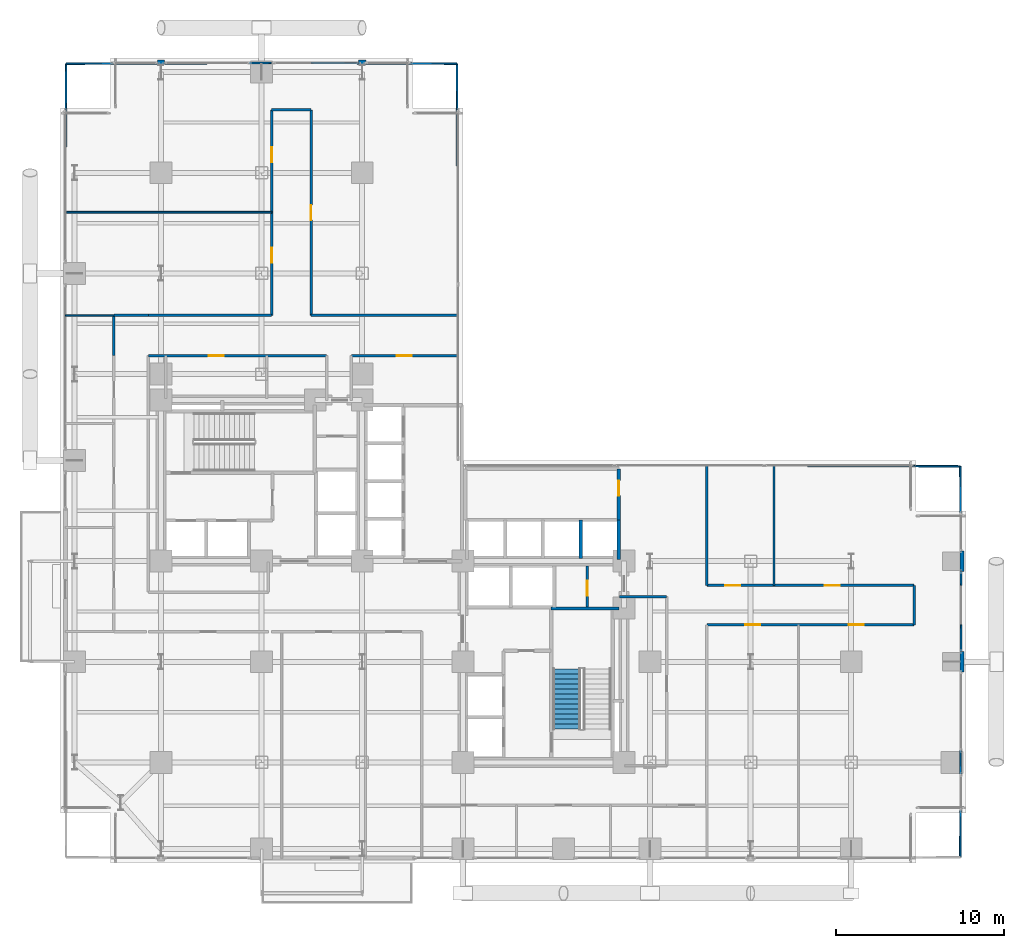
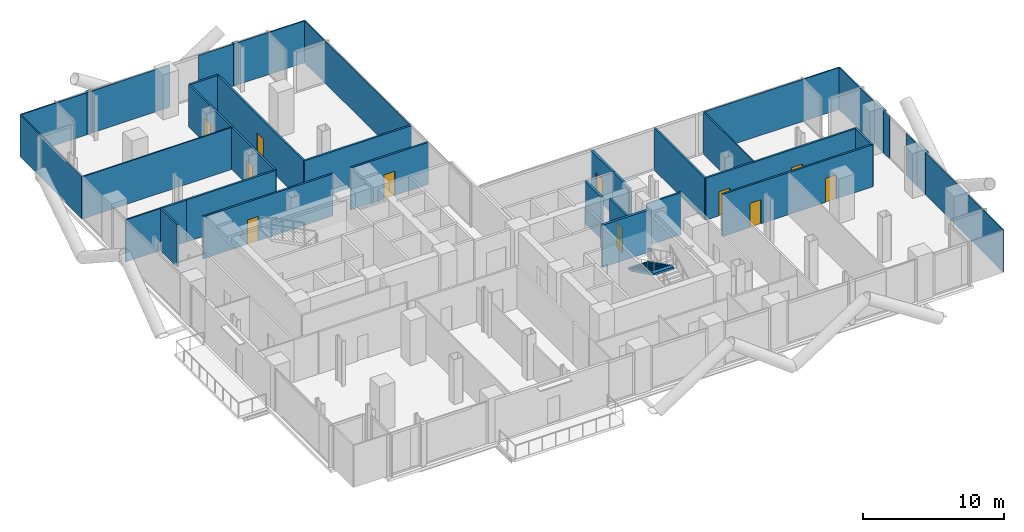
# One storey, part 22 of 25: 37 walls, 11 doors, 1 stair flight, 11 openings, 1 element without a shape of its own.
"""IFC4 building model written with IfcOpenShell, lengths in metres."""

import ifcopenshell
import ifcopenshell.guid

model = None  # the IFC model being written
_history = None  # IfcOwnerHistory: only IFC2X3 demands one
_inside = {}  # id of a spatial element -> (the spatial element, [elements in it])
_under = {}  # id of a project, library or spatial element -> (it, [spatial elements below it])
_declared = {}  # id of a project -> (the project, [libraries it declares])
_typed = {}  # id of a type object -> (the type object, [elements of that type])
_made_of = {}  # id of a material, layer set ... -> (it, [elements and type objects made of it])


def new_model(schema):
    """Start an empty IFC model of exactly this schema.

    Asked for "IFC4X3", IfcOpenShell would pick the latest addendum, in which some entities
    have other attributes; the version numbers below select the first issue.
    IFC2X3 requires an IfcOwnerHistory on every rooted entity: one is made here for all.
    """
    global model, _history
    if schema == "IFC4X3":
        model = ifcopenshell.file(schema_version=(4, 3, 0, 0))
    else:
        model = ifcopenshell.file(schema=schema)
    _inside.clear()
    _under.clear()
    _declared.clear()
    _typed.clear()
    _made_of.clear()
    _history = None
    if model.schema == "IFC2X3":
        org = make("IfcOrganization", Name="unknown")
        user = make(
            "IfcPersonAndOrganization",
            ThePerson=make("IfcPerson", FamilyName="unknown"),
            TheOrganization=org,
        )
        app = make(
            "IfcApplication",
            ApplicationDeveloper=org,
            Version="unknown",
            ApplicationFullName="unknown",
            ApplicationIdentifier="unknown",
        )
        _history = make(
            "IfcOwnerHistory",
            OwningUser=user,
            OwningApplication=app,
            ChangeAction="ADDED",
            CreationDate=0,
        )
    return model


def make(cls, **values):
    """One entity of the class cls with the attributes given. An attribute that is None is left unset."""
    return model.create_entity(
        cls, **{name: value for name, value in values.items() if value is not None}
    )


def rooted(cls, **values):
    """An entity with a GlobalId (a new one), such as an element, a storey or a relation."""
    return make(cls, GlobalId=ifcopenshell.guid.new(), OwnerHistory=_history, **values)


def si_unit(unit_type, name, prefix=None):
    """IfcSIUnit, for example si_unit("LENGTHUNIT", "METRE", prefix="MILLI")."""
    return make("IfcSIUnit", UnitType=unit_type, Prefix=prefix, Name=name)


def assignment(units):
    """IfcUnitAssignment: the units of a project."""
    return None if units is None else make("IfcUnitAssignment", Units=units)


def point(xyz):
    """IfcCartesianPoint."""
    return None if xyz is None else make("IfcCartesianPoint", Coordinates=xyz)


def direction(xyz):
    """IfcDirection."""
    return None if xyz is None else make("IfcDirection", DirectionRatios=xyz)


def frame(location, z_axis=None, x_axis=None):
    """IfcAxis2Placement3D, a coordinate frame: its origin and axes. An axis left out is left unset."""
    return make(
        "IfcAxis2Placement3D",
        Location=point(location),
        Axis=direction(z_axis),
        RefDirection=direction(x_axis),
    )


def frame_2d(location, x_axis=None):
    """IfcAxis2Placement2D, a coordinate frame in the plane: its origin and x axis."""
    return make(
        "IfcAxis2Placement2D", Location=point(location), RefDirection=direction(x_axis)
    )


def origin():
    """The frame at (0, 0, 0) with its axes left unset."""
    return frame((0.0, 0.0, 0.0))


def place(relative_to, where):
    """IfcLocalPlacement: puts the frame where relative to a parent placement (None: the world)."""
    return make(
        "IfcLocalPlacement", PlacementRelTo=relative_to, RelativePlacement=where
    )


def context(
    kind, dimensions, precision=None, world=None, true_north=None, identifier=None
):
    """IfcGeometricRepresentationContext, for example the 3D "Model" context."""
    return make(
        "IfcGeometricRepresentationContext",
        ContextIdentifier=identifier,
        ContextType=kind,
        CoordinateSpaceDimension=dimensions,
        Precision=precision,
        WorldCoordinateSystem=world,
        TrueNorth=true_north,
    )


def subcontext(parent, identifier, kind, view, scale=None):
    """IfcGeometricRepresentationSubContext, for example "Body" below "Model"."""
    return make(
        "IfcGeometricRepresentationSubContext",
        ContextIdentifier=identifier,
        ContextType=kind,
        ParentContext=parent,
        TargetScale=scale,
        TargetView=view,
    )


def project(units=None, contexts=None):
    """IfcProject with its units and contexts."""
    return rooted(
        "IfcProject",
        Name="project",
        RepresentationContexts=contexts,
        UnitsInContext=assignment(units),
    )


def spatial(cls, under=None, at=None, **own):
    """A site, building, storey or space (cls), placed at a placement, below another one or the project."""
    s = rooted(cls, ObjectPlacement=at, **own)
    if under is not None:
        _under.setdefault(under.id(), (under, []))[1].append(s)
    return s


def polyline(points):
    """IfcPolyline through the points."""
    return make("IfcPolyline", Points=[point(p) for p in points])


def profile(cls, at=None, kind="AREA", **sizes):
    """A parametric profile (cls). Its sizes go by their IFC names, for example OverallWidth=200.0."""
    return make(cls, ProfileType=kind, Position=at, **sizes)


def rectangle(**sizes):
    """IfcRectangleProfileDef."""
    return profile("IfcRectangleProfileDef", **sizes)


def outline(outer, holes=None, kind="AREA"):
    """IfcArbitraryClosedProfileDef: a profile drawn as a closed curve; with holes, ...WithVoids."""
    if holes is None:
        return make("IfcArbitraryClosedProfileDef", ProfileType=kind, OuterCurve=outer)
    return make(
        "IfcArbitraryProfileDefWithVoids",
        ProfileType=kind,
        OuterCurve=outer,
        InnerCurves=holes,
    )


def extrude(swept, where, along, depth):
    """IfcExtrudedAreaSolid: the profile swept, set in the frame where, extruded along a direction by depth."""
    return make(
        "IfcExtrudedAreaSolid",
        SweptArea=swept,
        Position=where,
        ExtrudedDirection=direction(along),
        Depth=depth,
    )


def shape(context_of_items, identifier, shape_type, items):
    """IfcShapeRepresentation: the items that make up one representation, for example the "Body"."""
    return make(
        "IfcShapeRepresentation",
        ContextOfItems=context_of_items,
        RepresentationIdentifier=identifier,
        RepresentationType=shape_type,
        Items=items,
    )


def material(Name=None, Category=None):
    """IfcMaterial."""
    return make("IfcMaterial", Name=Name, Category=Category)


def layer(
    of_material, thickness, ventilated=None, Name=None, Category=None, Priority=None
):
    """IfcMaterialLayer: one layer of a wall or slab, of a material (None: an air gap)."""
    return make(
        "IfcMaterialLayer",
        Material=of_material,
        LayerThickness=thickness,
        IsVentilated=ventilated,
        Name=Name,
        Category=Category,
        Priority=Priority,
    )


def layer_set(layers, Name=None):
    """IfcMaterialLayerSet."""
    return make("IfcMaterialLayerSet", MaterialLayers=layers, LayerSetName=Name)


def made_of(thing, what):
    """Note that an element or type object is made of a material, layer set ...; save() writes the relation."""
    if what is not None:
        _made_of.setdefault(what.id(), (what, []))[1].append(thing)
    return thing


def type_object(cls, material=None, **own):
    """A type object (cls), such as IfcWallType, which elements share."""
    return made_of(rooted(cls, **own), material)


def element(
    cls,
    number,
    at=None,
    inside=None,
    cuts=None,
    type_object=None,
    material=None,
    context=None,
    identifier="Body",
    shape_type=None,
    held_by="IfcProductDefinitionShape",
    body=None,
    shapes=None,
    **own,
):
    """One element of the class cls, such as IfcWall. Its Tag is "e" and its number.

    at: its placement. inside: the storey or other place that contains it. cuts: it is an
    opening in that element (IfcRelVoidsElement). A single representation is given by context,
    identifier, shape_type and body (its items); several are given by shapes. held_by: the class
    of the entity that holds the representations. save() writes the other relations.
    """
    e = rooted(cls, Tag="e%d" % number, ObjectPlacement=at, **own)
    if body is not None:
        shapes = [shape(context, identifier, shape_type, body)]
    if shapes is not None:
        e.Representation = make(held_by, Representations=shapes)
    if inside is not None:
        _inside.setdefault(inside.id(), (inside, []))[1].append(e)
    if cuts is not None:
        rooted(
            "IfcRelVoidsElement", RelatingBuildingElement=cuts, RelatedOpeningElement=e
        )
    if type_object is not None:
        _typed.setdefault(type_object.id(), (type_object, []))[1].append(e)
    return made_of(e, material)


def fill(opening, filler):
    """IfcRelFillsElement: the door or window that sits in an opening."""
    return rooted(
        "IfcRelFillsElement",
        RelatingOpeningElement=opening,
        RelatedBuildingElement=filler,
    )


def aggregate(whole, parts):
    """IfcRelAggregates: a whole, such as a stair, and the parts it consists of."""
    return rooted("IfcRelAggregates", RelatingObject=whole, RelatedObjects=parts)


def save(model, path):
    """Write the relations noted so far, then the file.

    IfcRelAggregates (storeys below a building ...), IfcRelContainedInSpatialStructure (elements
    in a storey), IfcRelDefinesByType, IfcRelAssociatesMaterial and IfcRelDeclares: one each for
    every whole, place, type object, material and project.
    """
    for whole, parts in _under.values():
        aggregate(whole, parts)
    for where, things in _inside.values():
        rooted(
            "IfcRelContainedInSpatialStructure",
            RelatedElements=things,
            RelatingStructure=where,
        )
    for kind, things in _typed.values():
        rooted("IfcRelDefinesByType", RelatedObjects=things, RelatingType=kind)
    for what, things in _made_of.values():
        rooted("IfcRelAssociatesMaterial", RelatedObjects=things, RelatingMaterial=what)
    for by, libraries in _declared.values():
        rooted("IfcRelDeclares", RelatingContext=by, RelatedDefinitions=libraries)
    model.write(path)


model = new_model("IFC4")

# Units and contexts
model_context = context("Model", 3, precision=1e-05, world=origin(), true_north=direction((0.0, 1.0)))
body_context = subcontext(model_context, "Body", "Model", "MODEL_VIEW")
ifc_project = project(units=[si_unit("LENGTHUNIT", "METRE"), si_unit("AREAUNIT", "SQUARE_METRE"), si_unit("VOLUMEUNIT", "CUBIC_METRE"), si_unit("PLANEANGLEUNIT", "RADIAN"), si_unit("MASSUNIT", "GRAM", prefix="KILO"), si_unit("THERMODYNAMICTEMPERATUREUNIT", "KELVIN"), si_unit("POWERUNIT", "WATT")], contexts=[model_context])

# Site, building, storey
site_placement = place(None, origin())
site = spatial("IfcSite", under=ifc_project, at=site_placement, CompositionType="ELEMENT")
building_placement = place(site_placement, origin())
building = spatial("IfcBuilding", under=site, at=building_placement, Name="Svarakhadi Broadcast Tower", CompositionType="ELEMENT")
storey_placement = place(building_placement, frame((0.0, 0.0, 36.300048828125)))
storey = spatial("IfcBuildingStorey", under=building, at=storey_placement, Name="L07", CompositionType="ELEMENT", Elevation=36.300048828125)

# Walls
ifc_material_1 = material(Name="Concrete C40/50 (IS 456 M50)", Category="concrete")
ifc_layer_1 = layer(ifc_material_1, 0.239990234375)
ifc_layer_set_1 = layer_set([ifc_layer_1], Name="Concrete C40/50 (IS 456 M50)")
wall_type_1 = type_object("IfcWallType", Name="Wall_Ext_240", PredefinedType="SOLIDWALL", material=ifc_layer_set_1)
for number, where, z_axis, x_axis, name in (
    (1, (5.784912109375, 47.760009765625, 0.0), (0.0, 0.0, 1.0), (1.0, 0.0, 0.0), "L07 Perimeter Bronze Spandrel Closure Wall 01"),
    (2, (17.784912109375, 47.760009765625, 0.0), (0.0, 0.0, 1.0), (1.0, 0.0, 0.0), "L07 Perimeter Bronze Spandrel Closure Wall 02"),
):
    element("IfcWall", number, at=place(storey_placement, frame(where, z_axis=z_axis, x_axis=x_axis)), inside=storey, type_object=wall_type_1, Name=name, PredefinedType="SOLIDWALL", context=body_context, shape_type="SweptSolid", body=[
        extrude(rectangle(XDim=0.43017578125, YDim=0.239990234375, at=frame_2d((0.215087890625, 0.0))), origin(), (0.0, 0.0, 1.0), 3.64990234375),
    ])
for number, where, z_axis, x_axis, name in (
    (3, (53.760009765625, 18.614990234375, 0.0), (0.0, 0.0, 1.0), (0.0, -1.0, 0.0), "L07 Perimeter Bronze Spandrel Closure Wall 03"),
    (4, (53.760009765625, 12.614990234375, 0.0), (0.0, 0.0, 1.0), (0.0, -1.0, 0.0), "L07 Perimeter Bronze Spandrel Closure Wall 04"),
):
    element("IfcWall", number, at=place(storey_placement, frame(where, z_axis=z_axis, x_axis=x_axis)), inside=storey, type_object=wall_type_1, Name=name, PredefinedType="SOLIDWALL", context=body_context, shape_type="SweptSolid", body=[
        extrude(rectangle(XDim=1.22998046875, YDim=0.239990234375, at=frame_2d((0.614990234375, 0.0))), origin(), (0.0, 0.0, 1.0), 3.64990234375),
    ])
ifc_material_2 = material(Name="Fire-Rated Moisture-Resistant Gypsum Board Partition", Category="gypsum")
ifc_layer_2 = layer(ifc_material_2, 0.10009765625)
ifc_layer_set_2 = layer_set([ifc_layer_2], Name="Fire-Rated Moisture-Resistant Gypsum Board Partition")
wall_type_2 = type_object("IfcWallType", Name="Wall_Part_100", PredefinedType="PARTITIONING", material=ifc_layer_set_2)
wall_1_placement = place(storey_placement, frame((53.64990234375, 0.35009765625, 0.0), z_axis=(0.0, 0.0, 1.0), x_axis=(0.003606251025, 0.999993497456, 0.0)))
element("IfcWall", 5, at=wall_1_placement, inside=storey, type_object=wall_type_2, Name="L07 Wire Service Server Room Wall", PredefinedType="PARTITIONING", context=body_context, shape_type="SweptSolid", body=[
    extrude(rectangle(XDim=11.034912109375, YDim=0.10009765625, at=frame_2d((5.517578125, 0.0))), origin(), (0.0, 0.0, 1.0), 3.64990234375),
])
wall_2_placement = place(storey_placement, frame((53.6943359375, 12.614990234375, 0.0), z_axis=(0.0, 0.0, 1.0), x_axis=(0.003542799701, 0.999993724265, 0.0)))
element("IfcWall", 6, at=wall_2_placement, inside=storey, type_object=wall_type_2, Name="L07 Wire Service Server Room Wall", PredefinedType="PARTITIONING", context=body_context, shape_type="SweptSolid", body=[
    extrude(rectangle(XDim=1.5849609375, YDim=0.10009765625, at=frame_2d((0.79248046875, 0.0))), origin(), (0.0, 0.0, 1.0), 3.64990234375),
])
wall_3_placement = place(storey_placement, frame((42.550048828125, 16.550048828125, 0.0), z_axis=(0.0, 0.0, 1.0), x_axis=(0.0, 1.0, 0.0)))
element("IfcWall", 7, at=wall_3_placement, inside=storey, type_object=wall_type_2, Name="L07 Broadcast Acoustic Booth Wall", PredefinedType="PARTITIONING", context=body_context, shape_type="SweptSolid", body=[
    extrude(rectangle(XDim=7.14990234375, YDim=0.10009765625, at=frame_2d((3.574951171875, 0.0))), origin(), (0.0, 0.0, 1.0), 3.64990234375),
])
wall_4_placement = place(storey_placement, frame((42.550048828125, 23.699951171875, 0.0), z_axis=(0.0, 0.0, 1.0), x_axis=(0.999989834782, -0.004508917104, 0.0)))
element("IfcWall", 8, at=wall_4_placement, inside=storey, type_object=wall_type_2, Name="L07 Broadcast Equipment Operations Room Wall", PredefinedType="PARTITIONING", context=body_context, shape_type="SweptSolid", body=[
    extrude(rectangle(XDim=11.099853515625, YDim=0.10009765625, at=frame_2d((5.5498046875, 0.0))), origin(), (0.0, 0.0, 1.0), 3.64990234375),
])
wall_5_placement = place(storey_placement, frame((53.699951171875, 16.550048828125, 0.0), z_axis=(0.0, 0.0, 1.0), x_axis=(-0.007017371073, 0.999975377948, 0.0)))
element("IfcWall", 9, at=wall_5_placement, inside=storey, type_object=wall_type_2, Name="L07 Broadcast Equipment Operations Room Wall", PredefinedType="PARTITIONING", context=body_context, shape_type="SweptSolid", body=[
    extrude(rectangle(XDim=0.8349609375, YDim=0.10009765625, at=frame_2d((0.41748046875, 0.0))), origin(), (0.0, 0.0, 1.0), 3.64990234375),
])
wall_6_placement = place(storey_placement, frame((53.685546875, 18.614990234375, 0.0), z_axis=(0.0, 0.0, 1.0), x_axis=(-0.007079296972, 0.999974941463, 0.0)))
element("IfcWall", 10, at=wall_6_placement, inside=storey, type_object=wall_type_2, Name="L07 Broadcast Equipment Operations Room Wall", PredefinedType="PARTITIONING", context=body_context, shape_type="SweptSolid", body=[
    extrude(rectangle(XDim=5.03515625, YDim=0.10009765625, at=frame_2d((2.517578125, 0.0))), origin(), (0.0, 0.0, 1.0), 3.64990234375),
])
wall_7_placement = place(storey_placement, frame((0.300048828125, 38.800048828125, 0.0), z_axis=(0.0, 0.0, 1.0), x_axis=(1.0, 0.0, 0.0)))
element("IfcWall", 11, at=wall_7_placement, inside=storey, type_object=wall_type_2, Name="L07 Investigative Journalism Office Wall", PredefinedType="PARTITIONING", context=body_context, shape_type="SweptSolid", body=[
    extrude(rectangle(XDim=12.300048828125, YDim=0.10009765625, at=frame_2d((6.14990234375, 0.0))), origin(), (0.0, 0.0, 1.0), 3.64990234375),
])
wall_8_placement = place(storey_placement, frame((0.35009765625, 47.64990234375, 0.0), z_axis=(0.0, 0.0, 1.0), x_axis=(0.999991644778, 0.004087832518, 0.0)))
element("IfcWall", 12, at=wall_8_placement, inside=storey, type_object=wall_type_2, Name="L07 Investigative Research Office Wall", PredefinedType="PARTITIONING", context=body_context, shape_type="SweptSolid", body=[
    extrude(rectangle(XDim=5.434814453125, YDim=0.10009765625, at=frame_2d((2.71728515625, 0.0))), origin(), (0.0, 0.0, 1.0), 3.64990234375),
])
wall_9_placement = place(storey_placement, frame((6.215087890625, 47.673828125, 0.0), z_axis=(0.0, 0.0, 1.0), x_axis=(0.999991630701, 0.004091274595, 0.0)))
element("IfcWall", 13, at=wall_9_placement, inside=storey, type_object=wall_type_2, Name="L07 Investigative Research Office Wall", PredefinedType="PARTITIONING", context=body_context, shape_type="SweptSolid", body=[
    extrude(rectangle(XDim=6.385009765625, YDim=0.10009765625, at=frame_2d((3.1923828125, 0.0))), origin(), (0.0, 0.0, 1.0), 3.64990234375),
])
wall_10_placement = place(storey_placement, frame((0.300048828125, 38.800048828125, 0.0), z_axis=(0.0, 0.0, 1.0), x_axis=(0.005655237989, 0.999984009014, 0.0)))
element("IfcWall", 14, at=wall_10_placement, inside=storey, type_object=wall_type_2, Name="L07 Investigative Research Office Wall", PredefinedType="PARTITIONING", context=body_context, shape_type="SweptSolid", body=[
    extrude(rectangle(XDim=8.85009765625, YDim=0.10009765625, at=frame_2d((4.425048828125, 0.0))), origin(), (0.0, 0.0, 1.0), 3.64990234375),
])
wall_11_placement = place(storey_placement, frame((14.949951171875, 47.699951171875, 0.0), z_axis=(0.0, 0.0, 1.0), x_axis=(0.999983354582, -0.005769797172, 0.0)))
element("IfcWall", 15, at=wall_11_placement, inside=storey, type_object=wall_type_2, Name="L07 Broadcast Assignment Hub Wall", PredefinedType="PARTITIONING", context=body_context, shape_type="SweptSolid", body=[
    extrude(rectangle(XDim=2.8349609375, YDim=0.10009765625, at=frame_2d((1.41748046875, 0.0))), origin(), (0.0, 0.0, 1.0), 3.64990234375),
])
wall_12_placement = place(storey_placement, frame((18.215087890625, 47.68115234375, 0.0), z_axis=(0.0, 0.0, 1.0), x_axis=(0.999983469354, -0.005749871258, 0.0)))
element("IfcWall", 16, at=wall_12_placement, inside=storey, type_object=wall_type_2, Name="L07 Broadcast Assignment Hub Wall", PredefinedType="PARTITIONING", context=body_context, shape_type="SweptSolid", body=[
    extrude(rectangle(XDim=5.434814453125, YDim=0.10009765625, at=frame_2d((2.71728515625, 0.0))), origin(), (0.0, 0.0, 1.0), 3.64990234375),
])
wall_13_placement = place(storey_placement, frame((23.699951171875, 32.64990234375, 0.0), z_axis=(0.0, 0.0, 1.0), x_axis=(-0.003336569969, 0.999994433635, 0.0)))
element("IfcWall", 17, at=wall_13_placement, inside=storey, type_object=wall_type_2, Name="L07 Broadcast Assignment Hub Wall", PredefinedType="PARTITIONING", context=body_context, shape_type="SweptSolid", body=[
    extrude(rectangle(XDim=15.0, YDim=0.10009765625, at=frame_2d((7.5, 0.0))), origin(), (0.0, 0.0, 1.0), 3.64990234375),
])
wall_14_placement = place(storey_placement, frame((0.300048828125, 32.64990234375, 0.0), z_axis=(0.0, 0.0, 1.0), x_axis=(1.0, 0.0, 0.0)))
element("IfcWall", 18, at=wall_14_placement, inside=storey, type_object=wall_type_2, Name="L07 Producer Quiet Lounge Wall", PredefinedType="PARTITIONING", context=body_context, shape_type="SweptSolid", body=[
    extrude(rectangle(XDim=2.89990234375, YDim=0.10009765625, at=frame_2d((1.449951171875, 0.0))), origin(), (0.0, 0.0, 1.0), 3.64990234375),
])

# Wall, opening, door
ifc_material_3 = material(Name="Autoclaved Aerated Concrete Blockwork 150 mm", Category="masonry")
ifc_layer_3 = layer(ifc_material_3, 0.14990234375)
ifc_layer_set_3 = layer_set([ifc_layer_3], Name="Autoclaved Aerated Concrete Blockwork 150 mm")
wall_type_3 = type_object("IfcWallType", Name="Wall_Part_150", PredefinedType="PARTITIONING", material=ifc_layer_set_3)
wall_15_placement = place(storey_placement, frame((31.419921875, 15.280029296875, 0.0), z_axis=(0.0, 0.0, 1.0), x_axis=(0.0, 1.0, 0.0)))
wall_15 = element("IfcWall", 19, at=wall_15_placement, inside=storey, type_object=wall_type_3, Name="L07 East Core Dual Store Wall", PredefinedType="PARTITIONING", context=body_context, shape_type="SweptSolid", body=[
    extrude(rectangle(XDim=2.419921875, YDim=0.14990234375, at=frame_2d((1.2099609375, 0.0))), origin(), (0.0, 0.0, 1.0), 3.64990234375),
])
opening_1_placement = place(wall_15_placement, frame((0.64990234375, 0.0, 0.0)))
opening_1 = element("IfcOpeningElement", 20, at=opening_1_placement, cuts=wall_15, Name="Opening D-03", PredefinedType="OPENING", context=body_context, shape_type="SweptSolid", body=[
    extrude(rectangle(XDim=0.89990234375, YDim=2.14990234375, at=frame_2d((0.449951171875, 1.074951171875))), frame((0.0, 0.0849609375, 0.0), z_axis=(0.0, -1.0, 0.0), x_axis=(1.0, 0.0, 0.0)), (0.0, 0.0, 1.0), 0.169921875),
])
ifc_material_4 = material(Name="Galvanised Powder-Coated Fire-Rated Steel Leaf", Category="steel")
door_type_1 = type_object("IfcDoorType", Name="Door_Fire_D03", OperationType="SINGLE_SWING_LEFT", PredefinedType="DOOR", material=ifc_material_4)
door_1_placement = place(opening_1_placement, origin())
door_1 = element("IfcDoor", 21, at=door_1_placement, inside=storey, type_object=door_type_1, Name="L07 East Core Store B Door", OperationType="SINGLE_SWING_LEFT", OverallHeight=2.14990234375, OverallWidth=0.89990234375, PredefinedType="DOOR", context=body_context, shape_type="SweptSolid", body=[
    extrude(rectangle(XDim=0.89990234375, YDim=2.14990234375, at=frame_2d((0.449951171875, 1.074951171875))), frame((0.0, 0.02490234375, 0.0), z_axis=(0.0, -1.0, 0.0), x_axis=(1.0, 0.0, 0.0)), (0.0, 0.0, 1.0), 0.050048828125),
])
fill(opening_1, door_1)

# Walls
wall_16_placement = place(storey_placement, frame((36.14990234375, 15.8798828125, 0.0), z_axis=(0.0, 0.0, 1.0), x_axis=(-1.0, 0.0, 0.0)))
element("IfcWall", 22, at=wall_16_placement, inside=storey, type_object=wall_type_3, Name="L07 Broadcast Corridor Wall", PredefinedType="PARTITIONING", context=body_context, shape_type="SweptSolid", body=[
    extrude(rectangle(XDim=2.809814453125, YDim=0.14990234375, at=frame_2d((1.40478515625, 0.0))), origin(), (0.0, 0.0, 1.0), 3.64990234375),
])
wall_17_placement = place(storey_placement, frame((38.550048828125, 23.699951171875, 0.0), z_axis=(0.0, 0.0, 1.0), x_axis=(0.0, -1.0, 0.0)))
element("IfcWall", 23, at=wall_17_placement, inside=storey, type_object=wall_type_3, Name="L07 Broadcast Corridor Wall", PredefinedType="PARTITIONING", context=body_context, shape_type="SweptSolid", body=[
    extrude(rectangle(XDim=7.14990234375, YDim=0.14990234375, at=frame_2d((3.574951171875, 0.0))), origin(), (0.0, 0.0, 1.0), 3.64990234375),
])

# Wall, openings, doors
wall_18_placement = place(storey_placement, frame((38.550048828125, 16.550048828125, 0.0), z_axis=(0.0, 0.0, 1.0), x_axis=(1.0, 0.0, 0.0)))
wall_18 = element("IfcWall", 24, at=wall_18_placement, inside=storey, type_object=wall_type_3, Name="L07 Broadcast Corridor Wall", PredefinedType="PARTITIONING", context=body_context, shape_type="SweptSolid", body=[
    extrude(rectangle(XDim=12.349853515625, YDim=0.14990234375, at=frame_2d((6.1748046875, 0.0))), origin(), (0.0, 0.0, 1.0), 3.64990234375),
])
opening_2_placement = place(wall_18_placement, frame((1.080078125, 0.0, 0.0)))
opening_2 = element("IfcOpeningElement", 25, at=opening_2_placement, cuts=wall_18, Name="Opening D-14", PredefinedType="OPENING", context=body_context, shape_type="SweptSolid", body=[
    extrude(rectangle(XDim=0.89990234375, YDim=2.10009765625, at=frame_2d((0.449951171875, 1.050048828125))), frame((0.0, 0.0849609375, 0.0), z_axis=(0.0, -1.0, 0.0), x_axis=(1.0, 0.0, 0.0)), (0.0, 0.0, 1.0), 0.169921875),
])
opening_3_placement = place(wall_18_placement, frame((7.030029296875, 0.0, 0.0)))
opening_3 = element("IfcOpeningElement", 26, at=opening_3_placement, cuts=wall_18, Name="Opening D-14", PredefinedType="OPENING", context=body_context, shape_type="SweptSolid", body=[
    extrude(rectangle(XDim=0.89990234375, YDim=2.10009765625, at=frame_2d((0.449951171875, 1.050048828125))), frame((0.0, 0.0849609375, 0.0), z_axis=(0.0, -1.0, 0.0), x_axis=(1.0, 0.0, 0.0)), (0.0, 0.0, 1.0), 0.169921875),
])
ifc_material_5 = material(Name="Solid-Core Teak Veneer Acoustic Timber Leaf", Category="wood")
door_type_2 = type_object("IfcDoorType", Name="Door_Int_D14", OperationType="SINGLE_SWING_LEFT", PredefinedType="DOOR", material=ifc_material_5)
door_2_placement = place(opening_2_placement, origin())
door_2 = element("IfcDoor", 27, at=door_2_placement, inside=storey, type_object=door_type_2, Name="L07 Broadcast Acoustic Booth Door", OperationType="SINGLE_SWING_LEFT", OverallHeight=2.10009765625, OverallWidth=0.89990234375, PredefinedType="DOOR", context=body_context, shape_type="SweptSolid", body=[
    extrude(rectangle(XDim=0.89990234375, YDim=2.10009765625, at=frame_2d((0.449951171875, 1.050048828125))), frame((0.0, 0.02490234375, 0.0), z_axis=(0.0, -1.0, 0.0), x_axis=(1.0, 0.0, 0.0)), (0.0, 0.0, 1.0), 0.050048828125),
])
fill(opening_2, door_2)
door_3_placement = place(opening_3_placement, origin())
door_3 = element("IfcDoor", 28, at=door_3_placement, inside=storey, type_object=door_type_2, Name="L07 Broadcast Equipment Operations Room Door", OperationType="SINGLE_SWING_LEFT", OverallHeight=2.10009765625, OverallWidth=0.89990234375, PredefinedType="DOOR", context=body_context, shape_type="SweptSolid", body=[
    extrude(rectangle(XDim=0.89990234375, YDim=2.10009765625, at=frame_2d((0.449951171875, 1.050048828125))), frame((0.0, 0.02490234375, 0.0), z_axis=(0.0, -1.0, 0.0), x_axis=(1.0, 0.0, 0.0)), (0.0, 0.0, 1.0), 0.050048828125),
])
fill(opening_3, door_3)

# Wall
wall_19_placement = place(storey_placement, frame((50.89990234375, 16.550048828125, 0.0), z_axis=(0.0, 0.0, 1.0), x_axis=(0.0, -1.0, 0.0)))
element("IfcWall", 29, at=wall_19_placement, inside=storey, type_object=wall_type_3, Name="L07 Broadcast Corridor Wall", PredefinedType="PARTITIONING", context=body_context, shape_type="SweptSolid", body=[
    extrude(rectangle(XDim=2.35009765625, YDim=0.14990234375, at=frame_2d((1.175048828125, 0.0))), origin(), (0.0, 0.0, 1.0), 3.64990234375),
])

# Wall, openings, doors
wall_20_placement = place(storey_placement, frame((50.89990234375, 14.199951171875, 0.0), z_axis=(0.0, 0.0, 1.0), x_axis=(-1.0, 0.0, 0.0)))
wall_20 = element("IfcWall", 30, at=wall_20_placement, inside=storey, type_object=wall_type_3, Name="L07 Broadcast Corridor Wall", PredefinedType="PARTITIONING", context=body_context, shape_type="SweptSolid", body=[
    extrude(rectangle(XDim=12.349853515625, YDim=0.14990234375, at=frame_2d((6.1748046875, 0.0))), origin(), (0.0, 0.0, 1.0), 3.64990234375),
])
opening_4_placement = place(wall_20_placement, frame((9.175048828125, 0.0, 0.0)))
opening_4 = element("IfcOpeningElement", 31, at=opening_4_placement, cuts=wall_20, Name="Opening D-14", PredefinedType="OPENING", context=body_context, shape_type="SweptSolid", body=[
    extrude(rectangle(XDim=0.89990234375, YDim=2.10009765625, at=frame_2d((0.449951171875, 1.050048828125))), frame((0.0, 0.0849609375, 0.0), z_axis=(0.0, -1.0, 0.0), x_axis=(1.0, 0.0, 0.0)), (0.0, 0.0, 1.0), 0.169921875),
])
opening_5_placement = place(wall_20_placement, frame((3.0, 0.0, 0.0)))
opening_5 = element("IfcOpeningElement", 32, at=opening_5_placement, cuts=wall_20, Name="Opening D-15", PredefinedType="OPENING", context=body_context, shape_type="SweptSolid", body=[
    extrude(rectangle(XDim=0.89990234375, YDim=2.10009765625, at=frame_2d((0.449951171875, 1.050048828125))), frame((0.0, 0.0849609375, 0.0), z_axis=(0.0, -1.0, 0.0), x_axis=(1.0, 0.0, 0.0)), (0.0, 0.0, 1.0), 0.169921875),
])
door_4_placement = place(opening_4_placement, origin())
door_4 = element("IfcDoor", 33, at=door_4_placement, inside=storey, type_object=door_type_2, Name="L07 Waterfront International News Desk Door", OperationType="SINGLE_SWING_LEFT", OverallHeight=2.10009765625, OverallWidth=0.89990234375, PredefinedType="DOOR", context=body_context, shape_type="SweptSolid", body=[
    extrude(rectangle(XDim=0.89990234375, YDim=2.10009765625, at=frame_2d((0.449951171875, 1.050048828125))), frame((0.0, 0.02490234375, 0.0), z_axis=(0.0, -1.0, 0.0), x_axis=(1.0, 0.0, 0.0)), (0.0, 0.0, 1.0), 0.050048828125),
])
fill(opening_4, door_4)
door_type_3 = type_object("IfcDoorType", Name="Door_Int_D15", OperationType="SINGLE_SWING_RIGHT", PredefinedType="DOOR", material=ifc_material_5)
door_5_placement = place(opening_5_placement, origin())
door_5 = element("IfcDoor", 34, at=door_5_placement, inside=storey, type_object=door_type_3, Name="L07 Wire Service Server Room Door", OperationType="SINGLE_SWING_RIGHT", OverallHeight=2.10009765625, OverallWidth=0.89990234375, PredefinedType="DOOR", context=body_context, shape_type="SweptSolid", body=[
    extrude(rectangle(XDim=0.89990234375, YDim=2.10009765625, at=frame_2d((0.449951171875, 1.050048828125))), frame((0.0, 0.02490234375, 0.0), z_axis=(0.0, -1.0, 0.0), x_axis=(1.0, 0.0, 0.0)), (0.0, 0.0, 1.0), 0.050048828125),
])
fill(opening_5, door_5)

# Walls
wall_21_placement = place(storey_placement, frame((3.199951171875, 30.25, 0.0), z_axis=(0.0, 0.0, 1.0), x_axis=(0.0, 1.0, 0.0)))
element("IfcWall", 35, at=wall_21_placement, inside=storey, type_object=wall_type_3, Name="L07 Broadcast Corridor Wall", PredefinedType="PARTITIONING", context=body_context, shape_type="SweptSolid", body=[
    extrude(rectangle(XDim=2.39990234375, YDim=0.14990234375, at=frame_2d((1.199951171875, 0.0))), origin(), (0.0, 0.0, 1.0), 3.64990234375),
])
wall_22_placement = place(storey_placement, frame((3.199951171875, 32.64990234375, 0.0), z_axis=(0.0, 0.0, 1.0), x_axis=(1.0, 0.0, 0.0)))
element("IfcWall", 36, at=wall_22_placement, inside=storey, type_object=wall_type_3, Name="L07 Broadcast Corridor Wall", PredefinedType="PARTITIONING", context=body_context, shape_type="SweptSolid", body=[
    extrude(rectangle(XDim=2.050048828125, YDim=0.14990234375, at=frame_2d((1.02490234375, 0.0))), origin(), (0.0, 0.0, 1.0), 3.64990234375),
])
wall_23_placement = place(storey_placement, frame((5.25, 32.64990234375, 0.0), z_axis=(0.0, 0.0, 1.0), x_axis=(1.0, 0.0, 0.0)))
element("IfcWall", 37, at=wall_23_placement, inside=storey, type_object=wall_type_3, Name="L07 Broadcast Corridor Wall", PredefinedType="PARTITIONING", context=body_context, shape_type="SweptSolid", body=[
    extrude(rectangle(XDim=7.35009765625, YDim=0.14990234375, at=frame_2d((3.675048828125, 0.0))), origin(), (0.0, 0.0, 1.0), 3.64990234375),
])

# Wall, openings, doors
wall_24_placement = place(storey_placement, frame((12.60009765625, 32.64990234375, 0.0), z_axis=(0.0, 0.0, 1.0), x_axis=(0.0, 1.0, 0.0)))
wall_24 = element("IfcWall", 38, at=wall_24_placement, inside=storey, type_object=wall_type_3, Name="L07 Broadcast Corridor Wall", PredefinedType="PARTITIONING", context=body_context, shape_type="SweptSolid", body=[
    extrude(rectangle(XDim=12.25, YDim=0.14990234375, at=frame_2d((6.125, 0.0))), origin(), (0.0, 0.0, 1.0), 3.64990234375),
])
opening_6_placement = place(wall_24_placement, frame((3.1298828125, 0.0, 0.0)))
opening_6 = element("IfcOpeningElement", 39, at=opening_6_placement, cuts=wall_24, Name="Opening D-15", PredefinedType="OPENING", context=body_context, shape_type="SweptSolid", body=[
    extrude(rectangle(XDim=0.89990234375, YDim=2.10009765625, at=frame_2d((0.449951171875, 1.050048828125))), frame((0.0, 0.0849609375, 0.0), z_axis=(0.0, -1.0, 0.0), x_axis=(1.0, 0.0, 0.0)), (0.0, 0.0, 1.0), 0.169921875),
])
opening_7_placement = place(wall_24_placement, frame((9.1298828125, 0.0, 0.0)))
opening_7 = element("IfcOpeningElement", 40, at=opening_7_placement, cuts=wall_24, Name="Opening D-15", PredefinedType="OPENING", context=body_context, shape_type="SweptSolid", body=[
    extrude(rectangle(XDim=0.89990234375, YDim=2.10009765625, at=frame_2d((0.449951171875, 1.050048828125))), frame((0.0, 0.0849609375, 0.0), z_axis=(0.0, -1.0, 0.0), x_axis=(1.0, 0.0, 0.0)), (0.0, 0.0, 1.0), 0.169921875),
])
door_6_placement = place(opening_6_placement, origin())
door_6 = element("IfcDoor", 41, at=door_6_placement, inside=storey, type_object=door_type_3, Name="L07 Investigative Journalism Office Door", OperationType="SINGLE_SWING_RIGHT", OverallHeight=2.10009765625, OverallWidth=0.89990234375, PredefinedType="DOOR", context=body_context, shape_type="SweptSolid", body=[
    extrude(rectangle(XDim=0.89990234375, YDim=2.10009765625, at=frame_2d((0.449951171875, 1.050048828125))), frame((0.0, 0.02490234375, 0.0), z_axis=(0.0, -1.0, 0.0), x_axis=(1.0, 0.0, 0.0)), (0.0, 0.0, 1.0), 0.050048828125),
])
fill(opening_6, door_6)
door_7_placement = place(opening_7_placement, origin())
door_7 = element("IfcDoor", 42, at=door_7_placement, inside=storey, type_object=door_type_3, Name="L07 Investigative Research Office Door", OperationType="SINGLE_SWING_RIGHT", OverallHeight=2.10009765625, OverallWidth=0.89990234375, PredefinedType="DOOR", context=body_context, shape_type="SweptSolid", body=[
    extrude(rectangle(XDim=0.89990234375, YDim=2.10009765625, at=frame_2d((0.449951171875, 1.050048828125))), frame((0.0, 0.02490234375, 0.0), z_axis=(0.0, -1.0, 0.0), x_axis=(1.0, 0.0, 0.0)), (0.0, 0.0, 1.0), 0.050048828125),
])
fill(opening_7, door_7)

# Wall
wall_25_placement = place(storey_placement, frame((12.60009765625, 44.89990234375, 0.0), z_axis=(0.0, 0.0, 1.0), x_axis=(1.0, 0.0, 0.0)))
element("IfcWall", 43, at=wall_25_placement, inside=storey, type_object=wall_type_3, Name="L07 Broadcast Corridor Wall", PredefinedType="PARTITIONING", context=body_context, shape_type="SweptSolid", body=[
    extrude(rectangle(XDim=2.349853515625, YDim=0.14990234375, at=frame_2d((1.1748046875, 0.0))), origin(), (0.0, 0.0, 1.0), 3.64990234375),
])

# Wall, opening, door
wall_26_placement = place(storey_placement, frame((14.949951171875, 44.89990234375, 0.0), z_axis=(0.0, 0.0, 1.0), x_axis=(0.0, -1.0, 0.0)))
wall_26 = element("IfcWall", 44, at=wall_26_placement, inside=storey, type_object=wall_type_3, Name="L07 Broadcast Corridor Wall", PredefinedType="PARTITIONING", context=body_context, shape_type="SweptSolid", body=[
    extrude(rectangle(XDim=12.25, YDim=0.14990234375, at=frame_2d((6.125, 0.0))), origin(), (0.0, 0.0, 1.0), 3.64990234375),
])
opening_8_placement = place(wall_26_placement, frame((5.675048828125, 0.0, 0.0)))
opening_8 = element("IfcOpeningElement", 45, at=opening_8_placement, cuts=wall_26, Name="Opening D-15", PredefinedType="OPENING", context=body_context, shape_type="SweptSolid", body=[
    extrude(rectangle(XDim=0.89990234375, YDim=2.10009765625, at=frame_2d((0.449951171875, 1.050048828125))), frame((0.0, 0.0849609375, 0.0), z_axis=(0.0, -1.0, 0.0), x_axis=(1.0, 0.0, 0.0)), (0.0, 0.0, 1.0), 0.169921875),
])
door_8_placement = place(opening_8_placement, origin())
door_8 = element("IfcDoor", 46, at=door_8_placement, inside=storey, type_object=door_type_3, Name="L07 Broadcast Assignment Hub Door", OperationType="SINGLE_SWING_RIGHT", OverallHeight=2.10009765625, OverallWidth=0.89990234375, PredefinedType="DOOR", context=body_context, shape_type="SweptSolid", body=[
    extrude(rectangle(XDim=0.89990234375, YDim=2.10009765625, at=frame_2d((0.449951171875, 1.050048828125))), frame((0.0, 0.02490234375, 0.0), z_axis=(0.0, -1.0, 0.0), x_axis=(1.0, 0.0, 0.0)), (0.0, 0.0, 1.0), 0.050048828125),
])
fill(opening_8, door_8)

# Wall
wall_27_placement = place(storey_placement, frame((14.949951171875, 32.64990234375, 0.0), z_axis=(0.0, 0.0, 1.0), x_axis=(1.0, 0.0, 0.0)))
element("IfcWall", 47, at=wall_27_placement, inside=storey, type_object=wall_type_3, Name="L07 Broadcast Corridor Wall", PredefinedType="PARTITIONING", context=body_context, shape_type="SweptSolid", body=[
    extrude(rectangle(XDim=8.75, YDim=0.14990234375, at=frame_2d((4.375, 0.0))), origin(), (0.0, 0.0, 1.0), 3.64990234375),
])

# Wall, opening, door
wall_28_placement = place(storey_placement, frame((23.699951171875, 30.25, 0.0), z_axis=(0.0, 0.0, 1.0), x_axis=(-1.0, 0.0, 0.0)))
wall_28 = element("IfcWall", 48, at=wall_28_placement, inside=storey, type_object=wall_type_3, Name="L07 Broadcast Corridor Wall", PredefinedType="PARTITIONING", context=body_context, shape_type="SweptSolid", body=[
    extrude(rectangle(XDim=6.349853515625, YDim=0.14990234375, at=frame_2d((3.1748046875, 0.0))), origin(), (0.0, 0.0, 1.0), 3.64990234375),
])
opening_9_placement = place(wall_28_placement, frame((2.75, 0.0, 0.0)))
opening_9 = element("IfcOpeningElement", 49, at=opening_9_placement, cuts=wall_28, Name="Opening D-14", PredefinedType="OPENING", context=body_context, shape_type="SweptSolid", body=[
    extrude(rectangle(XDim=0.89990234375, YDim=2.10009765625, at=frame_2d((0.449951171875, 1.050048828125))), frame((0.0, 0.0849609375, 0.0), z_axis=(0.0, -1.0, 0.0), x_axis=(1.0, 0.0, 0.0)), (0.0, 0.0, 1.0), 0.169921875),
])
door_9_placement = place(opening_9_placement, origin())
door_9 = element("IfcDoor", 50, at=door_9_placement, inside=storey, type_object=door_type_2, Name="L07 Production Continuity Office Door", OperationType="SINGLE_SWING_LEFT", OverallHeight=2.10009765625, OverallWidth=0.89990234375, PredefinedType="DOOR", context=body_context, shape_type="SweptSolid", body=[
    extrude(rectangle(XDim=0.89990234375, YDim=2.10009765625, at=frame_2d((0.449951171875, 1.050048828125))), frame((0.0, 0.02490234375, 0.0), z_axis=(0.0, -1.0, 0.0), x_axis=(1.0, 0.0, 0.0)), (0.0, 0.0, 1.0), 0.050048828125),
])
fill(opening_9, door_9)

wall_29_placement = place(storey_placement, frame((15.8798828125, 30.25, 0.0), z_axis=(0.0, 0.0, 1.0), x_axis=(-1.0, 0.0, 0.0)))
wall_29 = element("IfcWall", 51, at=wall_29_placement, inside=storey, type_object=wall_type_3, Name="L07 Broadcast Corridor Wall", PredefinedType="PARTITIONING", context=body_context, shape_type="SweptSolid", body=[
    extrude(rectangle(XDim=10.6298828125, YDim=0.14990234375, at=frame_2d((5.31494140625, 0.0))), origin(), (0.0, 0.0, 1.0), 3.64990234375),
])
opening_10_placement = place(wall_29_placement, frame((6.1298828125, 0.0, 0.0)))
opening_10 = element("IfcOpeningElement", 52, at=opening_10_placement, cuts=wall_29, Name="Opening D-13", PredefinedType="OPENING", context=body_context, shape_type="SweptSolid", body=[
    extrude(rectangle(XDim=0.89990234375, YDim=2.10009765625, at=frame_2d((0.449951171875, 1.050048828125))), frame((0.0, 0.0849609375, 0.0), z_axis=(0.0, -1.0, 0.0), x_axis=(1.0, 0.0, 0.0)), (0.0, 0.0, 1.0), 0.169921875),
])
door_type_4 = type_object("IfcDoorType", Name="Door_Closet_D13", OperationType="SINGLE_SWING_RIGHT", PredefinedType="DOOR", material=ifc_material_5)
door_10_placement = place(opening_10_placement, origin())
door_10 = element("IfcDoor", 53, at=door_10_placement, inside=storey, type_object=door_type_4, Name="L07 Accessible Toilet WC Door", OperationType="SINGLE_SWING_RIGHT", OverallHeight=2.10009765625, OverallWidth=0.89990234375, PredefinedType="DOOR", context=body_context, shape_type="SweptSolid", body=[
    extrude(rectangle(XDim=0.89990234375, YDim=2.10009765625, at=frame_2d((0.449951171875, 1.050048828125))), frame((0.0, 0.02490234375, 0.0), z_axis=(0.0, -1.0, 0.0), x_axis=(1.0, 0.0, 0.0)), (0.0, 0.0, 1.0), 0.050048828125),
])
fill(opening_10, door_10)

# Walls
ifc_material_6 = material(Name="Concrete C50/60 (IS 456 M60)", Category="concrete")
ifc_layer_4 = layer(ifc_material_6, 0.199951171875)
ifc_layer_set_4 = layer_set([ifc_layer_4], Name="Concrete C50/60 (IS 456 M60)")
wall_type_4 = type_object("IfcWallType", Name="Wall_Shear_200", PredefinedType="SHEAR", material=ifc_layer_set_4)
wall_30_placement = place(storey_placement, frame((29.260009765625, 15.179931640625, 0.0), z_axis=(0.0, 0.0, 1.0), x_axis=(1.0, 0.0, 0.0)))
element("IfcWall", 54, at=wall_30_placement, inside=storey, type_object=wall_type_4, Name="L07 Stair ST-02 North RC Shaft Wall", PredefinedType="SHEAR", context=body_context, shape_type="SweptSolid", body=[
    extrude(rectangle(XDim=4.0400390625, YDim=0.199951171875, at=frame_2d((2.02001953125, 0.0))), origin(), (0.0, 0.0, 1.0), 3.64990234375),
])
wall_31_placement = place(storey_placement, frame((33.300048828125, 18.10009765625, 0.0), z_axis=(0.0, 0.0, 1.0), x_axis=(0.0, 1.0, 0.0)))
element("IfcWall", 55, at=wall_31_placement, inside=storey, type_object=wall_type_4, Name="L07 Bank B East Shaft Wall", PredefinedType="SHEAR", context=body_context, shape_type="SweptSolid", body=[
    extrude(rectangle(XDim=2.349853515625, YDim=0.199951171875, at=frame_2d((1.1748046875, 0.0))), origin(), (0.0, 0.0, 1.0), 3.64990234375),
])
wall_32_placement = place(storey_placement, frame((31.02001953125, 18.14990234375, 0.0), z_axis=(0.0, 0.0, 1.0), x_axis=(0.0, 1.0, 0.0)))
element("IfcWall", 56, at=wall_32_placement, inside=storey, type_object=wall_type_4, Name="L07 Bank B Divider", PredefinedType="SHEAR", context=body_context, shape_type="SweptSolid", body=[
    extrude(rectangle(XDim=2.300048828125, YDim=0.199951171875, at=frame_2d((1.14990234375, 0.0))), origin(), (0.0, 0.0, 1.0), 3.64990234375),
])

# Wall, opening, door
wall_33_placement = place(storey_placement, frame((33.300048828125, 20.449951171875, 0.0), z_axis=(0.0, 0.0, 1.0), x_axis=(0.0, 1.0, 0.0)))
wall_33 = element("IfcWall", 57, at=wall_33_placement, inside=storey, type_object=wall_type_4, Name="L07 Bank B Lift Hall East Wall", PredefinedType="SHEAR", context=body_context, shape_type="SweptSolid", body=[
    extrude(rectangle(XDim=3.050048828125, YDim=0.199951171875, at=frame_2d((1.52490234375, 0.0))), origin(), (0.0, 0.0, 1.0), 3.64990234375),
])
opening_11_placement = place(wall_33_placement, frame((1.449951171875, 0.0, 0.0)))
opening_11 = element("IfcOpeningElement", 58, at=opening_11_placement, cuts=wall_33, Name="Opening D-03", PredefinedType="OPENING", context=body_context, shape_type="SweptSolid", body=[
    extrude(rectangle(XDim=0.89990234375, YDim=2.14990234375, at=frame_2d((0.449951171875, 1.074951171875))), frame((0.0, 0.10986328125, 0.0), z_axis=(0.0, -1.0, 0.0), x_axis=(1.0, 0.0, 0.0)), (0.0, 0.0, 1.0), 0.219970703125),
])
door_11_placement = place(opening_11_placement, origin())
door_11 = element("IfcDoor", 59, at=door_11_placement, inside=storey, type_object=door_type_1, Name="L07 Mid-Rise Lift Hall East Corridor Door", OperationType="SINGLE_SWING_LEFT", OverallHeight=2.14990234375, OverallWidth=0.89990234375, PredefinedType="DOOR", context=body_context, shape_type="SweptSolid", body=[
    extrude(rectangle(XDim=0.89990234375, YDim=2.14990234375, at=frame_2d((0.449951171875, 1.074951171875))), frame((0.0, 0.02490234375, 0.0), z_axis=(0.0, -1.0, 0.0), x_axis=(1.0, 0.0, 0.0)), (0.0, 0.0, 1.0), 0.050048828125),
])
fill(opening_11, door_11)

# Stair, stair flight
stair_type = type_object("IfcStairType", Name="Stair_Exit_Core", PredefinedType="HALF_TURN_STAIR", material=ifc_material_1)
stair_placement = place(storey_placement, origin())
stair = element("IfcStair", 60, at=stair_placement, inside=storey, type_object=stair_type, Name="L07 East Core Protected Exit Stair ST-02", PredefinedType="HALF_TURN_STAIR")
stair_flight_type = type_object("IfcStairFlightType", Name="Flight_RC_1680", PredefinedType="STRAIGHT", material=ifc_material_1)
stair_flight_placement = place(storey_placement, frame((30.18994140625, 11.580078125, 1.949951171875), z_axis=(0.0, 0.0, 1.0), x_axis=(0.0, -1.0, 0.0)))
stair_flight = element("IfcStairFlight", 61, at=stair_flight_placement, type_object=stair_flight_type, Name="ST-02 flight 2", NumberOfRisers=13, NumberOfTreads=12, PredefinedType="STRAIGHT", RiserHeight=0.15, TreadLength=0.3, context=body_context, shape_type="SweptSolid", body=[
    extrude(outline(polyline([(0.0, 0.0), (0.0, 0.14990234375), (0.300048828125, 0.14990234375), (0.300048828125, 0.300048828125), (0.60009765625, 0.300048828125), (0.60009765625, 0.449951171875), (0.89990234375, 0.449951171875), (0.89990234375, 0.60009765625), (1.199951171875, 0.60009765625), (1.199951171875, 0.75), (1.5, 0.75), (1.5, 0.89990234375), (1.800048828125, 0.89990234375), (1.800048828125, 1.050048828125), (2.10009765625, 1.050048828125), (2.10009765625, 1.199951171875), (2.39990234375, 1.199951171875), (2.39990234375, 1.35009765625), (2.699951171875, 1.35009765625), (2.699951171875, 1.5), (3.0, 1.5), (3.0, 1.64990234375), (3.300048828125, 1.64990234375), (3.300048828125, 1.800048828125), (3.60009765625, 1.800048828125), (3.60009765625, 1.949951171875), (3.60009765625, 1.63232421875), (0.335205078125, 0.0), (0.0, 0.0)])), frame((0.0, 0.830078125, 0.0), z_axis=(0.0, -1.0, 0.0), x_axis=(1.0, 0.0, 0.0)), (0.0, 0.0, 1.0), 1.659912109375),
])
aggregate(stair, [stair_flight])

save(model, "model.ifc")
